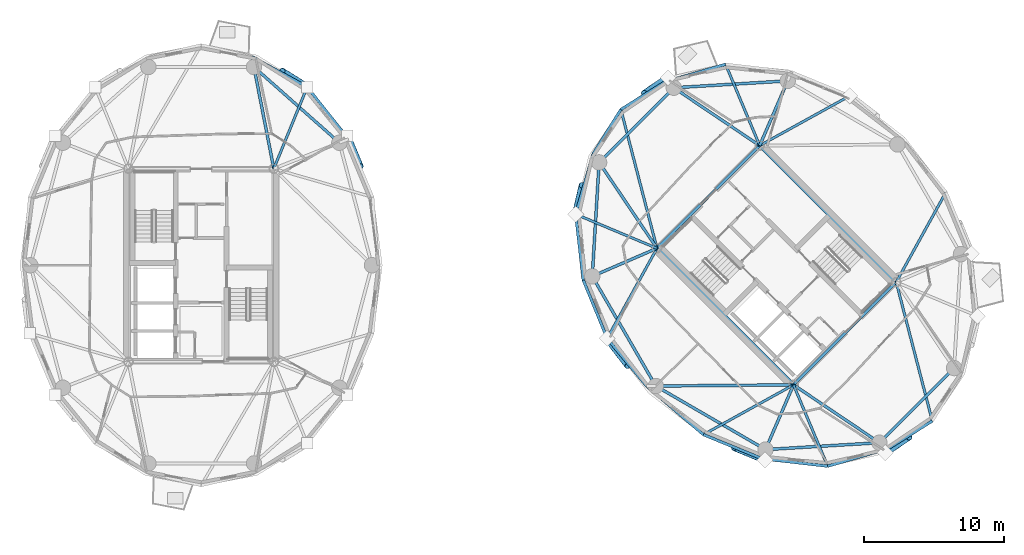
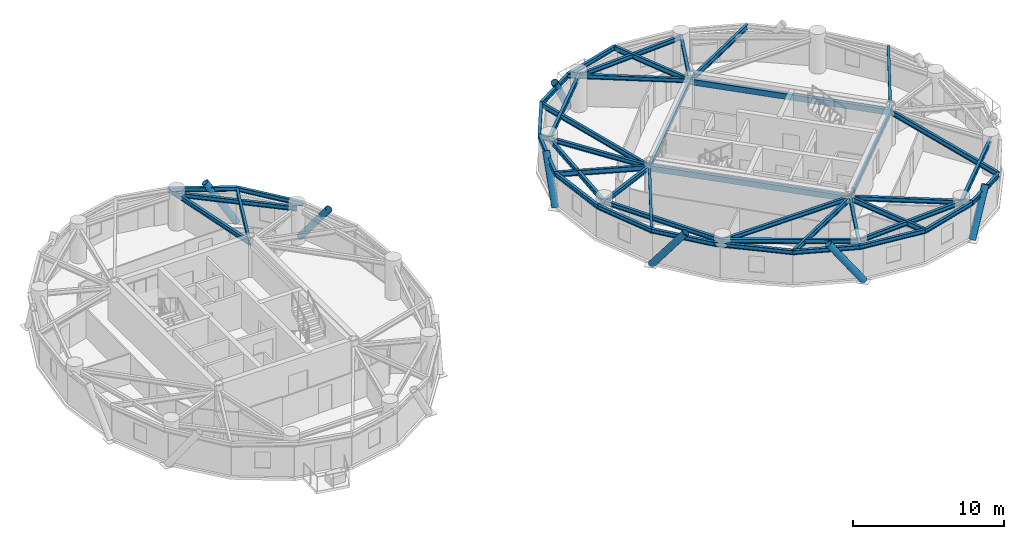
# One storey, part 4 of 15: 44 beams, 7 members.
"""IFC4 building model written with IfcOpenShell, lengths in metres."""

from ifc_helpers import new_model, si_unit, direction, frame, origin, origin_2d, place, context, subcontext, project, spatial, hollow_rectangle, hollow_circle, i_section, extrude, material, material_profile, profile_set, type_object, element, save


model = new_model("IFC4")

# Units and contexts
model_context = context("Model", 3, precision=1e-05, world=origin(), true_north=direction((0.0, 1.0)))
body_context = subcontext(model_context, "Body", "Model", "MODEL_VIEW")
ifc_project = project(units=[si_unit("LENGTHUNIT", "METRE"), si_unit("AREAUNIT", "SQUARE_METRE"), si_unit("VOLUMEUNIT", "CUBIC_METRE"), si_unit("PLANEANGLEUNIT", "RADIAN"), si_unit("MASSUNIT", "GRAM", prefix="KILO")], contexts=[model_context])

# Site, building, storey
site_placement = place(None, origin())
site = spatial("IfcSite", under=ifc_project, at=site_placement, CompositionType="ELEMENT")
building_placement = place(site_placement, origin())
building = spatial("IfcBuilding", under=site, at=building_placement, Name="Cununo Teusaquillo Station Towers", CompositionType="ELEMENT")
storey_placement = place(building_placement, frame((0.0, 0.0, 232.449951171875)))
storey = spatial("IfcBuildingStorey", under=building, at=storey_placement, Name="L74", CompositionType="ELEMENT", Elevation=232.449951171875)

# Beams
ifc_material_1 = material(Name="Steel EN 10025-2 S355J2", Category="steel")
ifc_material_profile_1 = material_profile(ifc_material_1, hollow_rectangle(XDim=0.25, YDim=0.449951171875, WallThickness=0.01611328125, at=origin_2d()), Name="RHS 450x250x16")
ifc_profile_set_1 = profile_set([ifc_material_profile_1], Name="Steel EN 10025-2 S355J2")
beam_type_1 = type_object("IfcBeamType", Name="BM-COUP-1", PredefinedType="USERDEFINED", material=ifc_profile_set_1)
for number, where, z_axis, x_axis, name in (
    (1, (58.70556640625, 15.975830078125, 2.554931640625), (-0.707106781187, 0.707106781187, 0.0), (-0.707106781187, -0.707106781187, 0.0), "L74 Tower B Core Beam 1"),
    (2, (66.024169921875, 23.29443359375, 2.554931640625), (-0.707106781187, 0.707106781187, 0.0), (-0.707106781187, -0.707106781187, 0.0), "L74 Tower B Core Beam 2"),
):
    element("IfcBeam", number, at=place(storey_placement, frame(where, z_axis=z_axis, x_axis=x_axis)), inside=storey, type_object=beam_type_1, Name=name, ObjectType="COUPLING BEAM", PredefinedType="USERDEFINED", context=body_context, shape_type="SweptSolid", body=[
        extrude(hollow_rectangle(XDim=0.25, YDim=0.449951171875, WallThickness=0.01611328125, at=origin_2d()), origin(), (0.0, 0.0, 1.0), 13.760009765625),
    ])
ifc_material_2 = material(Name="Steel ASTM A572 Grade 50", Category="steel")
ifc_material_profile_2 = material_profile(ifc_material_2, i_section(OverallWidth=0.180908203125, OverallDepth=0.4169921875, WebThickness=0.010986328125, FlangeThickness=0.018310546875, FilletRadius=0.012939453125, at=origin_2d()), Name="W16X57")
ifc_profile_set_2 = profile_set([ifc_material_profile_2], Name="Steel ASTM A572 Grade 50")
beam_type_2 = type_object("IfcBeamType", Name="BM-JOIST-1", PredefinedType="JOIST", material=ifc_profile_set_2)
beam_1_placement = place(storey_placement, frame((21.675048828125, 31.3798828125, 2.571533203125), z_axis=(0.378576847217, 0.925569862707, 0.0), x_axis=(-0.925569862707, 0.378576847217, 0.0)))
element("IfcBeam", 3, at=beam_1_placement, inside=storey, type_object=beam_type_2, Name="L74 Tower A Radial Spandrel Joist V03", PredefinedType="JOIST", context=body_context, shape_type="SweptSolid", body=[
    extrude(i_section(OverallWidth=0.180908203125, OverallDepth=0.4169921875, WebThickness=0.010986328125, FlangeThickness=0.018310546875, FilletRadius=0.012939453125, at=origin_2d()), origin(), (0.0, 0.0, 1.0), 6.28125),
])
beam_2_placement = place(storey_placement, frame((56.29443359375, 33.024169921875, 2.571533203125), z_axis=(0.8753153358, 0.483552544108, 0.0), x_axis=(-0.483552544108, 0.8753153358, 0.0)))
element("IfcBeam", 4, at=beam_2_placement, inside=storey, type_object=beam_type_2, Name="L74 Tower B Radial Spandrel Joist V01", PredefinedType="JOIST", context=body_context, shape_type="SweptSolid", body=[
    extrude(i_section(OverallWidth=0.180908203125, OverallDepth=0.4169921875, WebThickness=0.010986328125, FlangeThickness=0.018310546875, FilletRadius=0.012939453125, at=origin_2d()), origin(), (0.0, 0.0, 1.0), 7.3330078125),
])
beam_3_placement = place(storey_placement, frame((56.29443359375, 33.024169921875, 2.571533203125), z_axis=(-0.386786389381, 0.922169338565, 0.0), x_axis=(-0.922169338565, -0.386786389381, 0.0)))
element("IfcBeam", 5, at=beam_3_placement, inside=storey, type_object=beam_type_2, Name="L74 Tower B Radial Spandrel Joist V03", PredefinedType="JOIST", context=body_context, shape_type="SweptSolid", body=[
    extrude(i_section(OverallWidth=0.180908203125, OverallDepth=0.4169921875, WebThickness=0.010986328125, FlangeThickness=0.018310546875, FilletRadius=0.012939453125, at=origin_2d()), origin(), (0.0, 0.0, 1.0), 6.281005859375),
])
beam_4_placement = place(storey_placement, frame((48.975830078125, 25.70556640625, 2.571533203125), z_axis=(-0.251559992432, 0.967841707206, 0.0), x_axis=(-0.967841707206, -0.251559992432, 0.0)))
element("IfcBeam", 6, at=beam_4_placement, inside=storey, type_object=beam_type_2, Name="L74 Tower B Radial Spandrel Joist V05", PredefinedType="JOIST", context=body_context, shape_type="SweptSolid", body=[
    extrude(i_section(OverallWidth=0.180908203125, OverallDepth=0.4169921875, WebThickness=0.010986328125, FlangeThickness=0.018310546875, FilletRadius=0.012939453125, at=origin_2d()), origin(), (0.0, 0.0, 1.0), 10.217529296875),
])
beam_5_placement = place(storey_placement, frame((48.975830078125, 25.70556640625, 2.571533203125), z_axis=(-0.922169338565, 0.386786389381, 0.0), x_axis=(-0.386786389381, -0.922169338565, 0.0)))
element("IfcBeam", 7, at=beam_5_placement, inside=storey, type_object=beam_type_2, Name="L74 Tower B Radial Spandrel Joist V07", PredefinedType="JOIST", context=body_context, shape_type="SweptSolid", body=[
    extrude(i_section(OverallWidth=0.180908203125, OverallDepth=0.4169921875, WebThickness=0.010986328125, FlangeThickness=0.018310546875, FilletRadius=0.012939453125, at=origin_2d()), origin(), (0.0, 0.0, 1.0), 6.281005859375),
])
for number, where, z_axis, x_axis, name in (
    (8, (48.975830078125, 25.70556640625, 2.571533203125), (-0.483552544108, -0.8753153358, 0.0), (0.8753153358, -0.483552544108, 0.0), "L74 Tower B Radial Spandrel Joist V09"),
    (9, (58.70556640625, 15.975830078125, 2.571533203125), (-0.8753153358, -0.483552544108, 0.0), (0.483552544108, -0.8753153358, 0.0), "L74 Tower B Radial Spandrel Joist V11"),
):
    element("IfcBeam", number, at=place(storey_placement, frame(where, z_axis=z_axis, x_axis=x_axis)), inside=storey, type_object=beam_type_2, Name=name, PredefinedType="JOIST", context=body_context, shape_type="SweptSolid", body=[
        extrude(i_section(OverallWidth=0.180908203125, OverallDepth=0.4169921875, WebThickness=0.010986328125, FlangeThickness=0.018310546875, FilletRadius=0.012939453125, at=origin_2d()), origin(), (0.0, 0.0, 1.0), 7.3330078125),
    ])
beam_6_placement = place(storey_placement, frame((58.70556640625, 15.975830078125, 2.571533203125), z_axis=(0.386786389381, -0.922169338565, 0.0), x_axis=(0.922169338565, 0.386786389381, 0.0)))
element("IfcBeam", 10, at=beam_6_placement, inside=storey, type_object=beam_type_2, Name="L74 Tower B Radial Spandrel Joist V13", PredefinedType="JOIST", context=body_context, shape_type="SweptSolid", body=[
    extrude(i_section(OverallWidth=0.180908203125, OverallDepth=0.4169921875, WebThickness=0.010986328125, FlangeThickness=0.018310546875, FilletRadius=0.012939453125, at=origin_2d()), origin(), (0.0, 0.0, 1.0), 6.281005859375),
])
beam_7_placement = place(storey_placement, frame((66.024169921875, 23.29443359375, 2.571533203125), z_axis=(0.251559992432, -0.967841707206, 0.0), x_axis=(0.967841707206, 0.251559992432, 0.0)))
element("IfcBeam", 11, at=beam_7_placement, inside=storey, type_object=beam_type_2, Name="L74 Tower B Radial Spandrel Joist V15", PredefinedType="JOIST", context=body_context, shape_type="SweptSolid", body=[
    extrude(i_section(OverallWidth=0.180908203125, OverallDepth=0.4169921875, WebThickness=0.010986328125, FlangeThickness=0.018310546875, FilletRadius=0.012939453125, at=origin_2d()), origin(), (0.0, 0.0, 1.0), 10.217529296875),
])
beam_8_placement = place(storey_placement, frame((66.024169921875, 23.29443359375, 2.571533203125), z_axis=(0.483552544108, 0.8753153358, 0.0), x_axis=(-0.8753153358, 0.483552544108, 0.0)))
element("IfcBeam", 12, at=beam_8_placement, inside=storey, type_object=beam_type_2, Name="L74 Tower B Radial Spandrel Joist V19", PredefinedType="JOIST", context=body_context, shape_type="SweptSolid", body=[
    extrude(i_section(OverallWidth=0.180908203125, OverallDepth=0.4169921875, WebThickness=0.010986328125, FlangeThickness=0.018310546875, FilletRadius=0.012939453125, at=origin_2d()), origin(), (0.0, 0.0, 1.0), 7.3330078125),
])
ifc_material_3 = material(Name="Steel ASTM A572 Grade 50", Category="steel")
ifc_material_profile_3 = material_profile(ifc_material_3, i_section(OverallWidth=0.2041015625, OverallDepth=0.35009765625, WebThickness=0.008544921875, FlangeThickness=0.01513671875, FilletRadius=0.011962890625, at=origin_2d()), Name="W14X48")
ifc_profile_set_3 = profile_set([ifc_material_profile_3], Name="Steel ASTM A572 Grade 50")
beam_type_3 = type_object("IfcBeamType", Name="BM-LINTEL-1", PredefinedType="LINTEL", material=ifc_profile_set_3)
for number, where, z_axis, x_axis, name in (
    (13, (58.70556640625, 15.975830078125, 2.60498046875), (0.707106781187, 0.707106781187, 0.0), (-0.707106781187, 0.707106781187, 0.0), "L74 Tower B Core Beam 3"),
    (14, (48.975830078125, 25.70556640625, 2.60498046875), (0.707106781187, 0.707106781187, 0.0), (-0.707106781187, 0.707106781187, 0.0), "L74 Tower B Core Beam 4"),
):
    element("IfcBeam", number, at=place(storey_placement, frame(where, z_axis=z_axis, x_axis=x_axis)), inside=storey, type_object=beam_type_3, Name=name, PredefinedType="LINTEL", context=body_context, shape_type="SweptSolid", body=[
        extrude(i_section(OverallWidth=0.2041015625, OverallDepth=0.35009765625, WebThickness=0.008544921875, FlangeThickness=0.01513671875, FilletRadius=0.011962890625, at=origin_2d()), origin(), (0.0, 0.0, 1.0), 10.35009765625),
    ])
ifc_material_4 = material(Name="Steel ASTM A572 Grade 50", Category="steel")
ifc_material_profile_4 = material_profile(ifc_material_4, i_section(OverallWidth=0.2041015625, OverallDepth=0.35009765625, WebThickness=0.008544921875, FlangeThickness=0.01513671875, FilletRadius=0.011962890625, at=origin_2d()), Name="W14X48")
ifc_profile_set_4 = profile_set([ifc_material_profile_4], Name="Steel ASTM A572 Grade 50")
beam_type_4 = type_object("IfcBeamType", Name="BM-RAD-G3", PredefinedType="BEAM", material=ifc_profile_set_4)
beam_9_placement = place(storey_placement, frame((21.675048828125, 31.3798828125, 2.60498046875), z_axis=(-0.191548487699, 0.981483151593, 0.0), x_axis=(-0.981483151593, -0.191548487699, 0.0)))
element("IfcBeam", 15, at=beam_9_placement, inside=storey, type_object=beam_type_4, Name="L74 Tower A Continuous Overhanging Radial Girder 03", PredefinedType="BEAM", context=body_context, shape_type="SweptSolid", body=[
    extrude(i_section(OverallWidth=0.2041015625, OverallDepth=0.35009765625, WebThickness=0.008544921875, FlangeThickness=0.01513671875, FilletRadius=0.011962890625, at=origin_2d()), origin(), (0.0, 0.0, 1.0), 8.1240234375),
])
beam_10_placement = place(storey_placement, frame((56.29443359375, 33.024169921875, 2.60498046875), z_axis=(0.397346986387, 0.917668443616, 0.0), x_axis=(-0.917668443616, 0.397346986387, 0.0)))
element("IfcBeam", 16, at=beam_10_placement, inside=storey, type_object=beam_type_4, Name="L74 Tower B Radial Girder 02A", PredefinedType="BEAM", context=body_context, shape_type="SweptSolid", body=[
    extrude(i_section(OverallWidth=0.2041015625, OverallDepth=0.35009765625, WebThickness=0.008544921875, FlangeThickness=0.01513671875, FilletRadius=0.011962890625, at=origin_2d()), origin(), (0.0, 0.0, 1.0), 5.02490234375),
])
for number, where, z_axis, x_axis, name in (
    (17, (56.29443359375, 33.024169921875, 2.60498046875), (-0.829456817529, 0.558570844079, 0.0), (-0.558570844079, -0.829456817529, 0.0), "L74 Tower B Continuous Overhanging Radial Girder 03"),
    (18, (48.975830078125, 25.70556640625, 2.60498046875), (-0.558570844079, 0.829456817529, 0.0), (-0.829456817529, -0.558570844079, 0.0), "L74 Tower B Continuous Overhanging Radial Girder 04"),
):
    element("IfcBeam", number, at=place(storey_placement, frame(where, z_axis=z_axis, x_axis=x_axis)), inside=storey, type_object=beam_type_4, Name=name, PredefinedType="BEAM", context=body_context, shape_type="SweptSolid", body=[
        extrude(i_section(OverallWidth=0.2041015625, OverallDepth=0.35009765625, WebThickness=0.008544921875, FlangeThickness=0.01513671875, FilletRadius=0.011962890625, at=origin_2d()), origin(), (0.0, 0.0, 1.0), 8.1240234375),
    ])
beam_11_placement = place(storey_placement, frame((48.975830078125, 25.70556640625, 2.60498046875), z_axis=(-0.917665176837, -0.397354530893, 0.0), x_axis=(0.397354530893, -0.917665176837, 0.0)))
element("IfcBeam", 19, at=beam_11_placement, inside=storey, type_object=beam_type_4, Name="L74 Tower B Continuous Overhanging Radial Girder 05", PredefinedType="BEAM", context=body_context, shape_type="SweptSolid", body=[
    extrude(i_section(OverallWidth=0.2041015625, OverallDepth=0.35009765625, WebThickness=0.008544921875, FlangeThickness=0.01513671875, FilletRadius=0.011962890625, at=origin_2d()), origin(), (0.0, 0.0, 1.0), 5.716552734375),
])
beam_12_placement = place(storey_placement, frame((58.70556640625, 15.975830078125, 2.60498046875), z_axis=(-0.999964431382, -0.008434214327, 0.0), x_axis=(0.008434214327, -0.999964431382, 0.0)))
element("IfcBeam", 20, at=beam_12_placement, inside=storey, type_object=beam_type_4, Name="L74 Tower B Radial Girder 06A", PredefinedType="BEAM", context=body_context, shape_type="SweptSolid", body=[
    extrude(i_section(OverallWidth=0.2041015625, OverallDepth=0.35009765625, WebThickness=0.008544921875, FlangeThickness=0.01513671875, FilletRadius=0.011962890625, at=origin_2d()), origin(), (0.0, 0.0, 1.0), 9.812744140625),
])
beam_13_placement = place(storey_placement, frame((58.70556640625, 15.975830078125, 2.60498046875), z_axis=(-0.397354530893, -0.917665176837, 0.0), x_axis=(0.917665176837, -0.397354530893, 0.0)))
element("IfcBeam", 21, at=beam_13_placement, inside=storey, type_object=beam_type_4, Name="L74 Tower B Continuous Overhanging Radial Girder 07", PredefinedType="BEAM", context=body_context, shape_type="SweptSolid", body=[
    extrude(i_section(OverallWidth=0.2041015625, OverallDepth=0.35009765625, WebThickness=0.008544921875, FlangeThickness=0.01513671875, FilletRadius=0.011962890625, at=origin_2d()), origin(), (0.0, 0.0, 1.0), 5.716552734375),
])
beam_14_placement = place(storey_placement, frame((58.70556640625, 15.975830078125, 2.60498046875), z_axis=(0.829456817529, -0.558570844079, 0.0), x_axis=(0.558570844079, 0.829456817529, 0.0)))
element("IfcBeam", 22, at=beam_14_placement, inside=storey, type_object=beam_type_4, Name="L74 Tower B Continuous Overhanging Radial Girder 08", PredefinedType="BEAM", context=body_context, shape_type="SweptSolid", body=[
    extrude(i_section(OverallWidth=0.2041015625, OverallDepth=0.35009765625, WebThickness=0.008544921875, FlangeThickness=0.01513671875, FilletRadius=0.011962890625, at=origin_2d()), origin(), (0.0, 0.0, 1.0), 8.1240234375),
])
ifc_material_5 = material(Name="Steel ASTM A572 Grade 50", Category="steel")
ifc_material_profile_5 = material_profile(ifc_material_5, i_section(OverallWidth=0.2041015625, OverallDepth=0.35009765625, WebThickness=0.008544921875, FlangeThickness=0.01513671875, FilletRadius=0.011962890625, at=origin_2d()), Name="W14X48")
ifc_profile_set_5 = profile_set([ifc_material_profile_5], Name="Steel ASTM A572 Grade 50")
beam_type_5 = type_object("IfcBeamType", Name="BM-RING-Z4", PredefinedType="SPANDREL", material=ifc_profile_set_5)
beam_15_placement = place(storey_placement, frame((26.347412109375, 33.228515625, 2.60498046875), z_axis=(-0.74832120039, 0.66333655187, 0.0), x_axis=(-0.66333655187, -0.74832120039, 0.0)))
element("IfcBeam", 23, at=beam_15_placement, inside=storey, type_object=beam_type_5, Name="L74 Tower A Structural Column Ring Girder 02", PredefinedType="SPANDREL", context=body_context, shape_type="SweptSolid", body=[
    extrude(i_section(OverallWidth=0.2041015625, OverallDepth=0.35009765625, WebThickness=0.008544921875, FlangeThickness=0.01513671875, FilletRadius=0.011962890625, at=origin_2d()), origin(), (0.0, 0.0, 1.0), 8.1328125),
])
beam_16_placement = place(storey_placement, frame((26.990478515625, 33.483154296875, 2.60498046875), z_axis=(-0.620710872531, 0.784039547932, 0.0), x_axis=(-0.784039547932, -0.620710872531, 0.0)))
element("IfcBeam", 24, at=beam_16_placement, inside=storey, type_object=beam_type_5, Name="L74 Tower A Spandrel Ring Beam 03", PredefinedType="SPANDREL", context=body_context, shape_type="SweptSolid", body=[
    extrude(i_section(OverallWidth=0.2041015625, OverallDepth=0.35009765625, WebThickness=0.008544921875, FlangeThickness=0.01513671875, FilletRadius=0.011962890625, at=origin_2d()), origin(), (0.0, 0.0, 1.0), 4.732421875),
])
beam_17_placement = place(storey_placement, frame((24.052978515625, 37.193603515625, 2.60498046875), z_axis=(-0.876576300909, 0.481262910149, 0.0), x_axis=(-0.481262910149, -0.876576300909, 0.0)))
element("IfcBeam", 25, at=beam_17_placement, inside=storey, type_object=beam_type_5, Name="L74 Tower A Spandrel Ring Beam 04", PredefinedType="SPANDREL", context=body_context, shape_type="SweptSolid", body=[
    extrude(i_section(OverallWidth=0.2041015625, OverallDepth=0.35009765625, WebThickness=0.008544921875, FlangeThickness=0.01513671875, FilletRadius=0.011962890625, at=origin_2d()), origin(), (0.0, 0.0, 1.0), 4.488037109375),
])
beam_18_placement = place(storey_placement, frame((58.291015625, 37.63525390625, 2.60498046875), z_axis=(-0.998190567048, -0.06012979176, 0.0), x_axis=(0.06012979176, -0.998190567048, 0.0)))
element("IfcBeam", 26, at=beam_18_placement, inside=storey, type_object=beam_type_5, Name="L74 Tower B Structural Column Ring Girder 02", PredefinedType="SPANDREL", context=body_context, shape_type="SweptSolid", body=[
    extrude(i_section(OverallWidth=0.2041015625, OverallDepth=0.35009765625, WebThickness=0.008544921875, FlangeThickness=0.01513671875, FilletRadius=0.011962890625, at=origin_2d()), origin(), (0.0, 0.0, 1.0), 8.132568359375),
])
beam_19_placement = place(storey_placement, frame((50.173095703125, 37.146240234375, 2.60498046875), z_axis=(-0.707106781187, -0.707106781187, 0.0), x_axis=(0.707106781187, -0.707106781187, 0.0)))
element("IfcBeam", 27, at=beam_19_placement, inside=storey, type_object=beam_type_5, Name="L74 Tower B Structural Column Ring Girder 03", PredefinedType="SPANDREL", context=body_context, shape_type="SweptSolid", body=[
    extrude(i_section(OverallWidth=0.2041015625, OverallDepth=0.35009765625, WebThickness=0.008544921875, FlangeThickness=0.01513671875, FilletRadius=0.011962890625, at=origin_2d()), origin(), (0.0, 0.0, 1.0), 7.522705078125),
])
beam_20_placement = place(storey_placement, frame((44.853759765625, 31.826904296875, 2.60498046875), z_axis=(-0.06012979176, -0.998190567048, 0.0), x_axis=(0.998190567048, -0.06012979176, 0.0)))
element("IfcBeam", 28, at=beam_20_placement, inside=storey, type_object=beam_type_5, Name="L74 Tower B Structural Column Ring Girder 04", PredefinedType="SPANDREL", context=body_context, shape_type="SweptSolid", body=[
    extrude(i_section(OverallWidth=0.2041015625, OverallDepth=0.35009765625, WebThickness=0.008544921875, FlangeThickness=0.01513671875, FilletRadius=0.011962890625, at=origin_2d()), origin(), (0.0, 0.0, 1.0), 8.132568359375),
])
for number, where, z_axis, x_axis, name in (
    (29, (44.36474609375, 23.708984375, 2.60498046875), (0.501311121078, -0.865267103202, 0.0), (0.865267103202, 0.501311121078, 0.0), "L74 Tower B Structural Column Ring Girder 05"),
    (30, (48.89306640625, 15.89306640625, 2.60498046875), (0.865267103202, -0.501311121078, 0.0), (0.501311121078, 0.865267103202, 0.0), "L74 Tower B Structural Column Ring Girder 06"),
):
    element("IfcBeam", number, at=place(storey_placement, frame(where, z_axis=z_axis, x_axis=x_axis)), inside=storey, type_object=beam_type_5, Name=name, PredefinedType="SPANDREL", context=body_context, shape_type="SweptSolid", body=[
        extrude(i_section(OverallWidth=0.2041015625, OverallDepth=0.35009765625, WebThickness=0.008544921875, FlangeThickness=0.01513671875, FilletRadius=0.011962890625, at=origin_2d()), origin(), (0.0, 0.0, 1.0), 9.032958984375),
    ])
beam_21_placement = place(storey_placement, frame((56.708984375, 11.36474609375, 2.60498046875), z_axis=(0.998190567048, 0.06012979176, 0.0), x_axis=(-0.06012979176, 0.998190567048, 0.0)))
element("IfcBeam", 31, at=beam_21_placement, inside=storey, type_object=beam_type_5, Name="L74 Tower B Structural Column Ring Girder 07", PredefinedType="SPANDREL", context=body_context, shape_type="SweptSolid", body=[
    extrude(i_section(OverallWidth=0.2041015625, OverallDepth=0.35009765625, WebThickness=0.008544921875, FlangeThickness=0.01513671875, FilletRadius=0.011962890625, at=origin_2d()), origin(), (0.0, 0.0, 1.0), 8.132568359375),
])
beam_22_placement = place(storey_placement, frame((64.826904296875, 11.853759765625, 2.60498046875), z_axis=(0.707106781187, 0.707106781187, 0.0), x_axis=(-0.707106781187, 0.707106781187, 0.0)))
element("IfcBeam", 32, at=beam_22_placement, inside=storey, type_object=beam_type_5, Name="L74 Tower B Structural Column Ring Girder 08", PredefinedType="SPANDREL", context=body_context, shape_type="SweptSolid", body=[
    extrude(i_section(OverallWidth=0.2041015625, OverallDepth=0.35009765625, WebThickness=0.008544921875, FlangeThickness=0.01513671875, FilletRadius=0.011962890625, at=origin_2d()), origin(), (0.0, 0.0, 1.0), 7.522705078125),
])
beam_23_placement = place(storey_placement, frame((53.864990234375, 38.81640625, 2.60498046875), z_axis=(-0.96014487762, -0.279502797802, 0.0), x_axis=(0.279502797802, -0.96014487762, 0.0)))
element("IfcBeam", 33, at=beam_23_placement, inside=storey, type_object=beam_type_5, Name="L74 Tower B Spandrel Ring Beam 04", PredefinedType="SPANDREL", context=body_context, shape_type="SweptSolid", body=[
    extrude(i_section(OverallWidth=0.2041015625, OverallDepth=0.35009765625, WebThickness=0.008544921875, FlangeThickness=0.01513671875, FilletRadius=0.011962890625, at=origin_2d()), origin(), (0.0, 0.0, 1.0), 4.488037109375),
])
for number, where, z_axis, x_axis, name in (
    (34, (49.555908203125, 37.56201171875, 2.60498046875), (-0.848175505099, -0.529715312739, 0.0), (0.529715312739, -0.848175505099, 0.0), "L74 Tower B Spandrel Ring Beam 05"),
    (35, (46.405517578125, 35.594482421875, 2.60498046875), (-0.529715312739, -0.848175505099, 0.0), (0.848175505099, -0.529715312739, 0.0), "L74 Tower B Spandrel Ring Beam 06"),
):
    element("IfcBeam", number, at=place(storey_placement, frame(where, z_axis=z_axis, x_axis=x_axis)), inside=storey, type_object=beam_type_5, Name=name, PredefinedType="SPANDREL", context=body_context, shape_type="SweptSolid", body=[
        extrude(i_section(OverallWidth=0.2041015625, OverallDepth=0.35009765625, WebThickness=0.008544921875, FlangeThickness=0.01513671875, FilletRadius=0.011962890625, at=origin_2d()), origin(), (0.0, 0.0, 1.0), 3.71435546875),
    ])
beam_24_placement = place(storey_placement, frame((44.43798828125, 32.444091796875, 2.60498046875), z_axis=(-0.279502797802, -0.96014487762, 0.0), x_axis=(0.96014487762, -0.279502797802, 0.0)))
element("IfcBeam", 36, at=beam_24_placement, inside=storey, type_object=beam_type_5, Name="L74 Tower B Spandrel Ring Beam 07", PredefinedType="SPANDREL", context=body_context, shape_type="SweptSolid", body=[
    extrude(i_section(OverallWidth=0.2041015625, OverallDepth=0.35009765625, WebThickness=0.008544921875, FlangeThickness=0.01513671875, FilletRadius=0.011962890625, at=origin_2d()), origin(), (0.0, 0.0, 1.0), 4.488037109375),
])
beam_25_placement = place(storey_placement, frame((43.18359375, 28.135009765625, 2.60498046875), z_axis=(0.115452326356, -0.993313022334, 0.0), x_axis=(0.993313022334, 0.115452326356, 0.0)))
element("IfcBeam", 37, at=beam_25_placement, inside=storey, type_object=beam_type_5, Name="L74 Tower B Spandrel Ring Beam 08", PredefinedType="SPANDREL", context=body_context, shape_type="SweptSolid", body=[
    extrude(i_section(OverallWidth=0.2041015625, OverallDepth=0.35009765625, WebThickness=0.008544921875, FlangeThickness=0.01513671875, FilletRadius=0.011962890625, at=origin_2d()), origin(), (0.0, 0.0, 1.0), 4.732666015625),
])
beam_26_placement = place(storey_placement, frame((43.72998046875, 23.43408203125, 2.60498046875), z_axis=(0.379275405388, -0.925283830437, 0.0), x_axis=(0.925283830437, 0.379275405388, 0.0)))
element("IfcBeam", 38, at=beam_26_placement, inside=storey, type_object=beam_type_5, Name="L74 Tower B Spandrel Ring Beam 09", PredefinedType="SPANDREL", context=body_context, shape_type="SweptSolid", body=[
    extrude(i_section(OverallWidth=0.2041015625, OverallDepth=0.35009765625, WebThickness=0.008544921875, FlangeThickness=0.01513671875, FilletRadius=0.011962890625, at=origin_2d()), origin(), (0.0, 0.0, 1.0), 4.482177734375),
])
beam_27_placement = place(storey_placement, frame((45.429931640625, 19.286865234375, 2.60498046875), z_axis=(0.637524682095, -0.770429931739, 0.0), x_axis=(0.770429931739, 0.637524682095, 0.0)))
element("IfcBeam", 39, at=beam_27_placement, inside=storey, type_object=beam_type_5, Name="L74 Tower B Spandrel Ring Beam 10", PredefinedType="SPANDREL", context=body_context, shape_type="SweptSolid", body=[
    extrude(i_section(OverallWidth=0.2041015625, OverallDepth=0.35009765625, WebThickness=0.008544921875, FlangeThickness=0.01513671875, FilletRadius=0.011962890625, at=origin_2d()), origin(), (0.0, 0.0, 1.0), 4.412353515625),
])
beam_28_placement = place(storey_placement, frame((48.242919921875, 15.887451171875, 2.60498046875), z_axis=(0.760065778291, -0.649846145385, 0.0), x_axis=(0.649846145385, 0.760065778291, 0.0)))
element("IfcBeam", 40, at=beam_28_placement, inside=storey, type_object=beam_type_5, Name="L74 Tower B Spandrel Ring Beam 11", PredefinedType="SPANDREL", context=body_context, shape_type="SweptSolid", body=[
    extrude(i_section(OverallWidth=0.2041015625, OverallDepth=0.35009765625, WebThickness=0.008544921875, FlangeThickness=0.01513671875, FilletRadius=0.011962890625, at=origin_2d()), origin(), (0.0, 0.0, 1.0), 5.320556640625),
])
beam_29_placement = place(storey_placement, frame((52.286865234375, 12.429931640625, 2.60498046875), z_axis=(0.925283830437, -0.379275405388, 0.0), x_axis=(0.379275405388, 0.925283830437, 0.0)))
element("IfcBeam", 41, at=beam_29_placement, inside=storey, type_object=beam_type_5, Name="L74 Tower B Spandrel Ring Beam 12", PredefinedType="SPANDREL", context=body_context, shape_type="SweptSolid", body=[
    extrude(i_section(OverallWidth=0.2041015625, OverallDepth=0.35009765625, WebThickness=0.008544921875, FlangeThickness=0.01513671875, FilletRadius=0.011962890625, at=origin_2d()), origin(), (0.0, 0.0, 1.0), 4.482177734375),
])
beam_30_placement = place(storey_placement, frame((56.43408203125, 10.72998046875, 2.60498046875), z_axis=(0.993313022334, -0.115452326356, 0.0), x_axis=(0.115452326356, 0.993313022334, 0.0)))
element("IfcBeam", 42, at=beam_30_placement, inside=storey, type_object=beam_type_5, Name="L74 Tower B Spandrel Ring Beam 13", PredefinedType="SPANDREL", context=body_context, shape_type="SweptSolid", body=[
    extrude(i_section(OverallWidth=0.2041015625, OverallDepth=0.35009765625, WebThickness=0.008544921875, FlangeThickness=0.01513671875, FilletRadius=0.011962890625, at=origin_2d()), origin(), (0.0, 0.0, 1.0), 4.732666015625),
])
beam_31_placement = place(storey_placement, frame((61.135009765625, 10.18359375, 2.60498046875), z_axis=(0.96014487762, 0.279502797802, 0.0), x_axis=(-0.279502797802, 0.96014487762, 0.0)))
element("IfcBeam", 43, at=beam_31_placement, inside=storey, type_object=beam_type_5, Name="L74 Tower B Spandrel Ring Beam 14", PredefinedType="SPANDREL", context=body_context, shape_type="SweptSolid", body=[
    extrude(i_section(OverallWidth=0.2041015625, OverallDepth=0.35009765625, WebThickness=0.008544921875, FlangeThickness=0.01513671875, FilletRadius=0.011962890625, at=origin_2d()), origin(), (0.0, 0.0, 1.0), 4.488037109375),
])
beam_32_placement = place(storey_placement, frame((65.444091796875, 11.43798828125, 2.60498046875), z_axis=(0.848175505099, 0.529715312739, 0.0), x_axis=(-0.529715312739, 0.848175505099, 0.0)))
element("IfcBeam", 44, at=beam_32_placement, inside=storey, type_object=beam_type_5, Name="L74 Tower B Spandrel Ring Beam 15", PredefinedType="SPANDREL", context=body_context, shape_type="SweptSolid", body=[
    extrude(i_section(OverallWidth=0.2041015625, OverallDepth=0.35009765625, WebThickness=0.008544921875, FlangeThickness=0.01513671875, FilletRadius=0.011962890625, at=origin_2d()), origin(), (0.0, 0.0, 1.0), 3.71435546875),
])

# Members
ifc_material_6 = material(Name="Steel EN 10025-2 S355J2", Category="steel")
ifc_material_profile_6 = material_profile(ifc_material_6, hollow_circle(Radius=0.25390625, WallThickness=0.01806640625, at=origin_2d()), Name="CHS 508x18")
ifc_profile_set_6 = profile_set([ifc_material_profile_6], Name="Steel EN 10025-2 S355J2")
member_type = type_object("IfcMemberType", Name="MBR-DIAG-Z4", PredefinedType="BRACE", material=ifc_profile_set_6)
member_1_placement = place(storey_placement, frame((26.89599609375, 33.722412109375, -0.139892578125), z_axis=(0.229186377143, -0.549237979254, 0.803623821621), x_axis=(0.922875628603, 0.385098135713, 0.0)))
element("IfcMember", 45, at=member_1_placement, inside=storey, type_object=member_type, Name="L74 Tower A Folded-Zigzag Diagrid Tube C01", PredefinedType="BRACE", context=body_context, shape_type="SweptSolid", body=[
    extrude(hollow_circle(Radius=0.25390625, WallThickness=0.01806640625, at=origin_2d()), origin(), (0.0, 0.0, 1.0), 3.98193359375),
])
member_2_placement = place(storey_placement, frame((24.052978515625, 37.193603515625, -0.139892578125), z_axis=(-0.46730812708, 0.29072986532, 0.834924703058), x_axis=(-0.528249968439, -0.849088906325, 0.0)))
element("IfcMember", 46, at=member_2_placement, inside=storey, type_object=member_type, Name="L74 Tower A Folded-Zigzag Diagrid Tube C03", PredefinedType="BRACE", context=body_context, shape_type="SweptSolid", body=[
    extrude(hollow_circle(Radius=0.25390625, WallThickness=0.01806640625, at=origin_2d()), origin(), (0.0, 0.0, 1.0), 3.83251953125),
])
member_3_placement = place(storey_placement, frame((49.75634765625, 37.859375, -0.139892578125), z_axis=(-0.442631191042, -0.299129165679, 0.845339796151), x_axis=(0.559926853965, -0.828542043718, 0.0)))
element("IfcMember", 47, at=member_3_placement, inside=storey, type_object=member_type, Name="L74 Tower B Folded-Zigzag Diagrid Tube C04", PredefinedType="BRACE", context=body_context, shape_type="SweptSolid", body=[
    extrude(hollow_circle(Radius=0.25390625, WallThickness=0.01806640625, at=origin_2d()), origin(), (0.0, 0.0, 1.0), 3.785400390625),
])
member_4_placement = place(storey_placement, frame((43.18359375, 28.135009765625, -0.139892578125), z_axis=(0.124855848593, 0.535988321459, 0.834941636482), x_axis=(-0.97392481585, 0.226871005356, 0.0)))
element("IfcMember", 48, at=member_4_placement, inside=storey, type_object=member_type, Name="L74 Tower B Folded-Zigzag Diagrid Tube C06", PredefinedType="BRACE", context=body_context, shape_type="SweptSolid", body=[
    extrude(hollow_circle(Radius=0.25390625, WallThickness=0.01806640625, at=origin_2d()), origin(), (0.0, 0.0, 1.0), 3.83251953125),
])
member_5_placement = place(storey_placement, frame((45.429931640625, 19.286865234375, -0.139892578125), z_axis=(0.370485955024, -0.480946666864, 0.794625987973), x_axis=(0.792204307351, 0.610255958934, 0.0)))
element("IfcMember", 49, at=member_5_placement, inside=storey, type_object=member_type, Name="L74 Tower B Folded-Zigzag Diagrid Tube C09", PredefinedType="BRACE", context=body_context, shape_type="SweptSolid", body=[
    extrude(hollow_circle(Radius=0.25390625, WallThickness=0.01806640625, at=origin_2d()), origin(), (0.0, 0.0, 1.0), 4.027099609375),
])
member_6_placement = place(storey_placement, frame((56.670166015625, 10.627685546875, -0.139892578125), z_axis=(-0.550411606357, 0.22630825878, 0.803636507132), x_axis=(-0.380273025704, -0.924874275738, 0.0)))
element("IfcMember", 50, at=member_6_placement, inside=storey, type_object=member_type, Name="L74 Tower B Folded-Zigzag Diagrid Tube C11", PredefinedType="BRACE", context=body_context, shape_type="SweptSolid", body=[
    extrude(hollow_circle(Radius=0.25390625, WallThickness=0.01806640625, at=origin_2d()), origin(), (0.0, 0.0, 1.0), 3.98193359375),
])
member_7_placement = place(storey_placement, frame((65.24365234375, 11.140625, -0.139892578125), z_axis=(0.442631191042, 0.299129165679, 0.845339796151), x_axis=(-0.559926853965, 0.828542043718, 0.0)))
element("IfcMember", 51, at=member_7_placement, inside=storey, type_object=member_type, Name="L74 Tower B Folded-Zigzag Diagrid Tube C14", PredefinedType="BRACE", context=body_context, shape_type="SweptSolid", body=[
    extrude(hollow_circle(Radius=0.25390625, WallThickness=0.01806640625, at=origin_2d()), origin(), (0.0, 0.0, 1.0), 3.785400390625),
])

save(model, "model.ifc")
